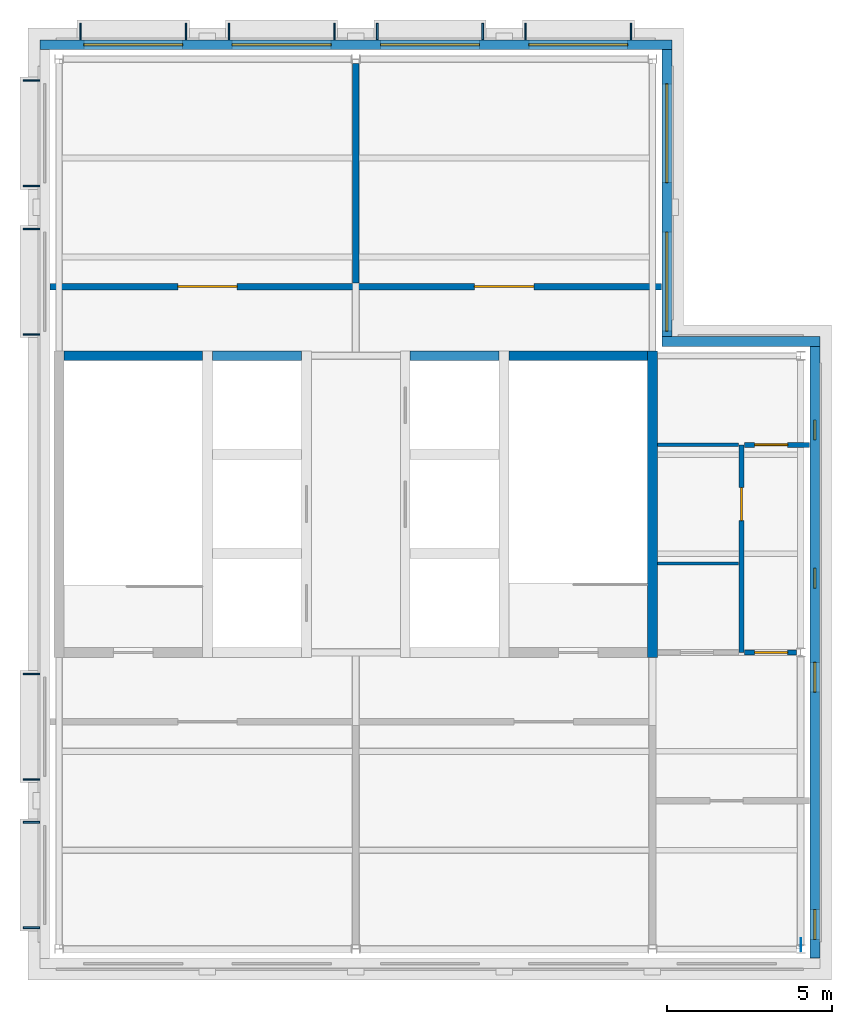
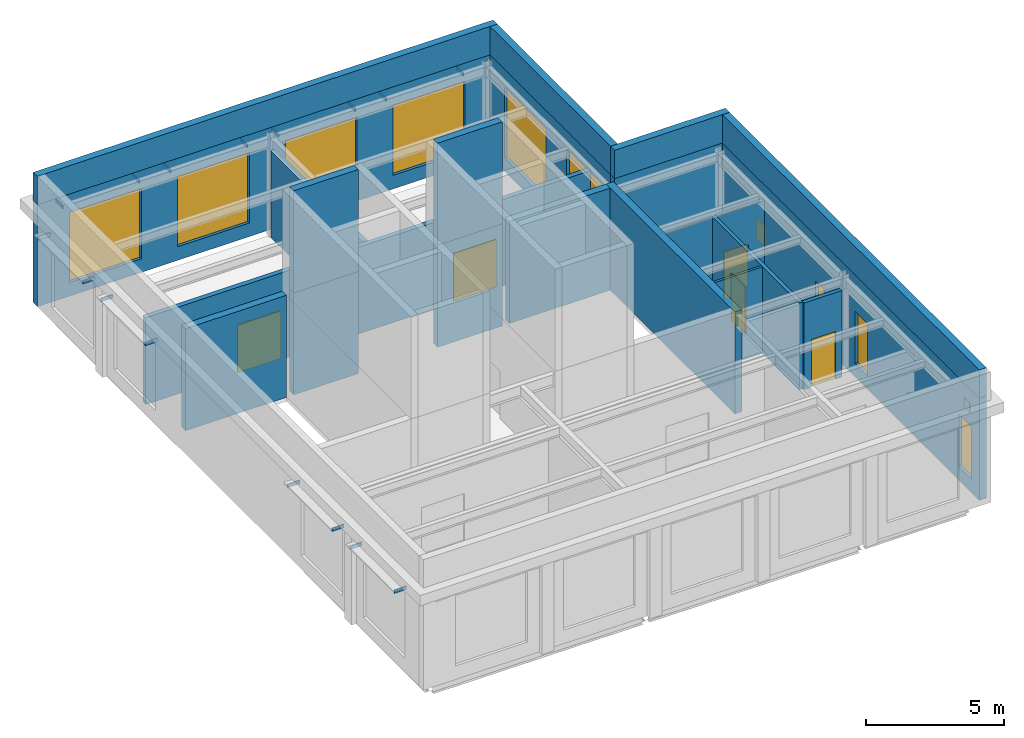
# One storey, part 3 of 4: 22 walls, 17 discrete accessories, 10 windows, 5 doors, 15 openings.
"""IFC4 building model written with IfcOpenShell, lengths in metres."""

from ifc_helpers import new_model, si_unit, direction, frame, frame_2d, origin, origin_2d, place, context, subcontext, project, spatial, rectangle, extrude, material, layer, layer_set, type_object, element, fill, save


model = new_model("IFC4")

# Units and contexts
model_context = context("Model", 3, precision=1e-05, world=origin(), true_north=direction((0.0, 1.0)))
body_context = subcontext(model_context, "Body", "Model", "MODEL_VIEW")
ifc_project = project(units=[si_unit("LENGTHUNIT", "METRE"), si_unit("AREAUNIT", "SQUARE_METRE"), si_unit("VOLUMEUNIT", "CUBIC_METRE"), si_unit("PLANEANGLEUNIT", "RADIAN"), si_unit("MASSUNIT", "GRAM", prefix="KILO")], contexts=[model_context])

# Site, building, storey
site_placement = place(None, origin())
site = spatial("IfcSite", under=ifc_project, at=site_placement, CompositionType="ELEMENT")
building_placement = place(site_placement, origin())
building = spatial("IfcBuilding", under=site, at=building_placement, Name="Hortulan Conservatory and Botanical Research Centre", CompositionType="ELEMENT")
storey_placement = place(building_placement, frame((0.0, 0.0, 69.89990234375)))
storey = spatial("IfcBuildingStorey", under=building, at=storey_placement, Name="L16", CompositionType="ELEMENT", Elevation=69.89990234375)

# Wall
ifc_material_1 = material(Name="Fire-rated plasterboard on steel studs", Category="steel")
ifc_layer_1 = layer(ifc_material_1, 0.199951171875)
ifc_layer_set_1 = layer_set([ifc_layer_1], Name="Compartment Partition 200")
wall_type_1 = type_object("IfcWallType", Name="Compartment Partition 200", PredefinedType="PARTITIONING", material=ifc_layer_set_1)
wall_1_placement = place(storey_placement, frame((18.0, 20.2099609375, 0.0), z_axis=(0.0, 0.0, 1.0), x_axis=(0.0, 1.0, 0.0)))
element("IfcWall", 1, at=wall_1_placement, inside=storey, type_object=wall_type_1, Name="Plant room wall", PredefinedType="PARTITIONING", context=body_context, shape_type="SweptSolid", body=[
    extrude(rectangle(XDim=6.650146484375, YDim=0.199951171875, at=frame_2d((3.3251953125, 0.0))), origin(), (0.0, 0.0, 1.0), 3.822021484375),
])

# Wall, openings, doors
wall_2_placement = place(storey_placement, frame((8.72412109375, 20.10009765625, 0.0), z_axis=(0.0, 0.0, 1.0), x_axis=(1.0, 0.0, 0.0)))
wall_2 = element("IfcWall", 2, at=wall_2_placement, inside=storey, type_object=wall_type_1, Name="Plant room wall", PredefinedType="PARTITIONING", context=body_context, shape_type="SweptSolid", body=[
    extrude(rectangle(XDim=18.5517578125, YDim=0.199951171875, at=frame_2d((9.27587890625, 0.0))), origin(), (0.0, 0.0, 1.0), 3.822021484375),
])
opening_1_placement = place(wall_2_placement, frame((3.8759765625, 0.0, 0.0)))
opening_1 = element("IfcOpeningElement", 3, at=opening_1_placement, cuts=wall_2, Name="Opening DT7", PredefinedType="OPENING", context=body_context, shape_type="SweptSolid", body=[
    extrude(rectangle(XDim=1.800048828125, YDim=2.10009765625, at=frame_2d((0.89990234375, 1.050048828125))), frame((0.0, 0.10986328125, 0.0), z_axis=(0.0, -1.0, 0.0), x_axis=(1.0, 0.0, 0.0)), (0.0, 0.0, 1.0), 0.219970703125),
])
opening_2_placement = place(wall_2_placement, frame((12.8759765625, 0.0, 0.0)))
opening_2 = element("IfcOpeningElement", 4, at=opening_2_placement, cuts=wall_2, Name="Opening DT7", PredefinedType="OPENING", context=body_context, shape_type="SweptSolid", body=[
    extrude(rectangle(XDim=1.800048828125, YDim=2.10009765625, at=frame_2d((0.89990234375, 1.050048828125))), frame((0.0, 0.10986328125, 0.0), z_axis=(0.0, -1.0, 0.0), x_axis=(1.0, 0.0, 0.0)), (0.0, 0.0, 1.0), 0.219970703125),
])
ifc_material_2 = material(Name="Steel door leaf, insulated", Category="steel")
door_type_1 = type_object("IfcDoorType", Name="Plant Room Double Door 1800x2100 FRL -/120/30", OperationType="DOUBLE_DOOR_SINGLE_SWING", PredefinedType="DOOR", material=ifc_material_2)
door_1_placement = place(opening_1_placement, origin())
door_1 = element("IfcDoor", 5, at=door_1_placement, inside=storey, type_object=door_type_1, Name="Door DT7 Chiller Plant Room", OperationType="DOUBLE_DOOR_SINGLE_SWING", OverallHeight=2.10009765625, OverallWidth=1.800048828125, PredefinedType="DOOR", context=body_context, shape_type="SweptSolid", body=[
    extrude(rectangle(XDim=1.800048828125, YDim=2.10009765625, at=frame_2d((0.89990234375, 1.050048828125))), frame((0.0, 0.02490234375, 0.0), z_axis=(0.0, -1.0, 0.0), x_axis=(1.0, 0.0, 0.0)), (0.0, 0.0, 1.0), 0.050048828125),
])
fill(opening_1, door_1)
door_2_placement = place(opening_2_placement, origin())
door_2 = element("IfcDoor", 6, at=door_2_placement, inside=storey, type_object=door_type_1, Name="Door DT7 Water Pump and Tank Room", OperationType="DOUBLE_DOOR_SINGLE_SWING", OverallHeight=2.10009765625, OverallWidth=1.800048828125, PredefinedType="DOOR", context=body_context, shape_type="SweptSolid", body=[
    extrude(rectangle(XDim=1.800048828125, YDim=2.10009765625, at=frame_2d((0.89990234375, 1.050048828125))), frame((0.0, 0.02490234375, 0.0), z_axis=(0.0, -1.0, 0.0), x_axis=(1.0, 0.0, 0.0)), (0.0, 0.0, 1.0), 0.050048828125),
])
fill(opening_2, door_2)

# Walls
ifc_material_3 = material(Name="Concrete N40 (40 MPa, AS 3600)", Category="concrete")
ifc_layer_2 = layer(ifc_material_3, 0.300048828125)
ifc_layer_set_2 = layer_set([ifc_layer_2], Name="Core Wall 300 N40 FRL 240/120/120")
wall_type_2 = type_object("IfcWallType", Name="Core Wall 300 N40 FRL 240/120/120", PredefinedType="SHEAR", material=ifc_layer_set_2)
wall_3_placement = place(storey_placement, frame((27.0, 8.85009765625, 0.0), z_axis=(0.0, 0.0, 1.0), x_axis=(0.0, 1.0, 0.0)))
element("IfcWall", 7, at=wall_3_placement, inside=storey, type_object=wall_type_2, Name="Reinforced concrete shaft wall", PredefinedType="SHEAR", context=body_context, shape_type="SweptSolid", body=[
    extrude(rectangle(XDim=9.2998046875, YDim=0.300048828125, at=frame_2d((4.64990234375, 0.0))), origin(), (0.0, 0.0, 1.0), 4.5),
])
wall_4_placement = place(storey_placement, frame((9.14990234375, 18.0, 0.0), z_axis=(0.0, 0.0, 1.0), x_axis=(1.0, 0.0, 0.0)))
element("IfcWall", 8, at=wall_4_placement, inside=storey, type_object=wall_type_2, Name="Reinforced concrete shaft wall", PredefinedType="SHEAR", context=body_context, shape_type="SweptSolid", body=[
    extrude(rectangle(XDim=4.2001953125, YDim=0.300048828125, at=frame_2d((2.10009765625, 0.0))), origin(), (0.0, 0.0, 1.0), 4.5),
])
for number, where, z_axis, x_axis, name in (
    (9, (13.64990234375, 18.0, 0.0), (0.0, 0.0, 1.0), (1.0, 0.0, 0.0), "Reinforced concrete shaft wall"),
    (10, (19.64990234375, 18.0, 0.0), (0.0, 0.0, 1.0), (1.0, 0.0, 0.0), "Reinforced concrete shaft wall"),
):
    element("IfcWall", number, at=place(storey_placement, frame(where, z_axis=z_axis, x_axis=x_axis)), inside=storey, type_object=wall_type_2, Name=name, PredefinedType="SHEAR", context=body_context, shape_type="SweptSolid", body=[
        extrude(rectangle(XDim=2.7001953125, YDim=0.300048828125, at=frame_2d((1.35009765625, 0.0))), origin(), (0.0, 0.0, 1.0), 4.5),
    ])
wall_5_placement = place(storey_placement, frame((22.64990234375, 18.0, 0.0), z_axis=(0.0, 0.0, 1.0), x_axis=(1.0, 0.0, 0.0)))
element("IfcWall", 11, at=wall_5_placement, inside=storey, type_object=wall_type_2, Name="Reinforced concrete shaft wall", PredefinedType="SHEAR", context=body_context, shape_type="SweptSolid", body=[
    extrude(rectangle(XDim=4.2001953125, YDim=0.300048828125, at=frame_2d((2.10009765625, 0.0))), origin(), (0.0, 0.0, 1.0), 4.5),
])

# Wall, opening, door
ifc_layer_3 = layer(ifc_material_1, 0.14990234375)
ifc_layer_set_3 = layer_set([ifc_layer_3], Name="Lobby Partition 150")
wall_type_3 = type_object("IfcWallType", Name="Lobby Partition 150", PredefinedType="PARTITIONING", material=ifc_layer_set_3)
wall_6_placement = place(storey_placement, frame((29.699951171875, 9.0, 0.0), z_axis=(0.0, 0.0, 1.0), x_axis=(0.0, 1.0, 0.0)))
wall_6 = element("IfcWall", 12, at=wall_6_placement, inside=storey, type_object=wall_type_3, Name="Lobby partition", PredefinedType="PARTITIONING", context=body_context, shape_type="SweptSolid", body=[
    extrude(rectangle(XDim=6.300048828125, YDim=0.14990234375, at=frame_2d((3.14990234375, 0.0))), origin(), (0.0, 0.0, 1.0), 3.822021484375),
])
opening_3_placement = place(wall_6_placement, frame((4.0, 0.0, 0.0)))
opening_3 = element("IfcOpeningElement", 13, at=opening_3_placement, cuts=wall_6, Name="Opening DT4", PredefinedType="OPENING", context=body_context, shape_type="SweptSolid", body=[
    extrude(rectangle(XDim=1.0, YDim=2.10009765625, at=frame_2d((0.5, 1.050048828125))), frame((0.0, 0.0849609375, 0.0), z_axis=(0.0, -1.0, 0.0), x_axis=(1.0, 0.0, 0.0)), (0.0, 0.0, 1.0), 0.169921875),
])
door_type_2 = type_object("IfcDoorType", Name="Fire Door 1000x2100 FRL -/60/30", OperationType="NOTDEFINED", PredefinedType="DOOR", material=ifc_material_2)
door_3_placement = place(opening_3_placement, origin())
door_3 = element("IfcDoor", 14, at=door_3_placement, inside=storey, type_object=door_type_2, Name="Door DT4 Women's WC", OperationType="SINGLE_SWING_LEFT", OverallHeight=2.10009765625, OverallWidth=1.0, PredefinedType="DOOR", context=body_context, shape_type="SweptSolid", body=[
    extrude(rectangle(XDim=1.0, YDim=2.10009765625, at=frame_2d((0.5, 1.050048828125))), frame((0.0, 0.02490234375, 0.0), z_axis=(0.0, -1.0, 0.0), x_axis=(1.0, 0.0, 0.0)), (0.0, 0.0, 1.0), 0.050048828125),
])
fill(opening_3, door_3)

wall_7_placement = place(storey_placement, frame((29.784912109375, 9.0, 0.0), z_axis=(0.0, 0.0, 1.0), x_axis=(1.0, 0.0, 0.0)))
wall_7 = element("IfcWall", 15, at=wall_7_placement, inside=storey, type_object=wall_type_3, Name="Lobby partition", PredefinedType="PARTITIONING", context=body_context, shape_type="SweptSolid", body=[
    extrude(rectangle(XDim=1.5771484375, YDim=0.14990234375, at=frame_2d((0.78857421875, 0.0))), origin(), (0.0, 0.0, 1.0), 3.822021484375),
])
opening_4_placement = place(wall_7_placement, frame((0.31494140625, 0.0, 0.0)))
opening_4 = element("IfcOpeningElement", 16, at=opening_4_placement, cuts=wall_7, Name="Opening DT4", PredefinedType="OPENING", context=body_context, shape_type="SweptSolid", body=[
    extrude(rectangle(XDim=1.0, YDim=2.10009765625, at=frame_2d((0.5, 1.050048828125))), frame((0.0, 0.0849609375, 0.0), z_axis=(0.0, -1.0, 0.0), x_axis=(1.0, 0.0, 0.0)), (0.0, 0.0, 1.0), 0.169921875),
])
door_4_placement = place(opening_4_placement, origin())
door_4 = element("IfcDoor", 17, at=door_4_placement, inside=storey, type_object=door_type_2, Name="Door DT4 WC Lobby", OperationType="SINGLE_SWING_LEFT", OverallHeight=2.10009765625, OverallWidth=1.0, PredefinedType="DOOR", context=body_context, shape_type="SweptSolid", body=[
    extrude(rectangle(XDim=1.0, YDim=2.10009765625, at=frame_2d((0.5, 1.050048828125))), frame((0.0, 0.02490234375, 0.0), z_axis=(0.0, -1.0, 0.0), x_axis=(1.0, 0.0, 0.0)), (0.0, 0.0, 1.0), 0.050048828125),
])
fill(opening_4, door_4)

wall_8_placement = place(storey_placement, frame((29.784912109375, 15.300048828125, 0.0), z_axis=(0.0, 0.0, 1.0), x_axis=(1.0, 0.0, 0.0)))
wall_8 = element("IfcWall", 18, at=wall_8_placement, inside=storey, type_object=wall_type_3, Name="Lobby partition", PredefinedType="PARTITIONING", context=body_context, shape_type="SweptSolid", body=[
    extrude(rectangle(XDim=1.97998046875, YDim=0.14990234375, at=frame_2d((0.989990234375, 0.0))), origin(), (0.0, 0.0, 1.0), 3.822021484375),
])
opening_5_placement = place(wall_8_placement, frame((0.31494140625, 0.0, 0.0)))
opening_5 = element("IfcOpeningElement", 19, at=opening_5_placement, cuts=wall_8, Name="Opening DT4", PredefinedType="OPENING", context=body_context, shape_type="SweptSolid", body=[
    extrude(rectangle(XDim=1.0, YDim=2.10009765625, at=frame_2d((0.5, 1.050048828125))), frame((0.0, 0.0849609375, 0.0), z_axis=(0.0, -1.0, 0.0), x_axis=(1.0, 0.0, 0.0)), (0.0, 0.0, 1.0), 0.169921875),
])
door_5_placement = place(opening_5_placement, origin())
door_5 = element("IfcDoor", 20, at=door_5_placement, inside=storey, type_object=door_type_2, Name="Door DT4 Men's WC", OperationType="SINGLE_SWING_RIGHT", OverallHeight=2.10009765625, OverallWidth=1.0, PredefinedType="DOOR", context=body_context, shape_type="SweptSolid", body=[
    extrude(rectangle(XDim=1.0, YDim=2.10009765625, at=frame_2d((0.5, 1.050048828125))), frame((0.0, 0.02490234375, 0.0), z_axis=(0.0, -1.0, 0.0), x_axis=(1.0, 0.0, 0.0)), (0.0, 0.0, 1.0), 0.050048828125),
])
fill(opening_5, door_5)

# Walls
ifc_layer_4 = layer(ifc_material_3, 0.300048828125)
ifc_layer_set_4 = layer_set([ifc_layer_4], Name="Shaft Head Wall 300")
wall_type_4 = type_object("IfcWallType", Name="Shaft Head Wall 300", PredefinedType="SOLIDWALL", material=ifc_layer_set_4)
for number, where, z_axis, x_axis, name in (
    (21, (13.64990234375, 18.0, 4.5), (0.0, 0.0, 1.0), (1.0, 0.0, 0.0), "Lift TW74400-1 head wall 6"),
    (22, (19.64990234375, 18.0, 4.5), (0.0, 0.0, 1.0), (1.0, 0.0, 0.0), "Lift TW74400-2 head wall 6"),
):
    element("IfcWall", number, at=place(storey_placement, frame(where, z_axis=z_axis, x_axis=x_axis)), inside=storey, type_object=wall_type_4, Name=name, PredefinedType="SOLIDWALL", context=body_context, shape_type="SweptSolid", body=[
        extrude(rectangle(XDim=2.7001953125, YDim=0.300048828125, at=frame_2d((1.35009765625, 0.0))), origin(), (0.0, 0.0, 1.0), 4.5),
    ])

# Wall, openings, windows
ifc_material_4 = material(Name="Verdigris copper-green zinc cladding on lightweight framing", Category="metal")
ifc_layer_5 = layer(ifc_material_4, 0.300048828125)
ifc_layer_set_5 = layer_set([ifc_layer_5], Name="Verdigris Zinc Clad Wall 300")
wall_type_5 = type_object("IfcWallType", Name="Verdigris Zinc Clad Wall 300", PredefinedType="STANDARD", material=ifc_layer_set_5)
wall_9_placement = place(storey_placement, frame((8.4140625, 27.43603515625, 0.0), z_axis=(0.0, 0.0, 1.0), x_axis=(1.0, 0.0, 0.0)))
wall_9 = element("IfcWall", 23, at=wall_9_placement, inside=storey, type_object=wall_type_5, Name="E-EW-TW-L16-N3", PredefinedType="STANDARD", context=body_context, shape_type="SweptSolid", body=[
    extrude(rectangle(XDim=19.171875, YDim=0.300048828125, at=frame_2d((9.5859375, 0.0))), origin(), (0.0, 0.0, 1.0), 4.5),
])
opening_6_placement = place(wall_9_placement, frame((1.3359375, 0.0, 0.60009765625)))
opening_6 = element("IfcOpeningElement", 24, at=opening_6_placement, cuts=wall_9, Name="Opening W8", PredefinedType="OPENING", context=body_context, shape_type="SweptSolid", body=[
    extrude(rectangle(XDim=3.0, YDim=3.10009765625, at=frame_2d((1.5, 1.550048828125))), frame((0.0, 0.159912109375, 0.0), z_axis=(0.0, -1.0, 0.0), x_axis=(1.0, 0.0, 0.0)), (0.0, 0.0, 1.0), 0.320068359375),
])
opening_7_placement = place(wall_9_placement, frame((5.8359375, 0.0, 0.60009765625)))
opening_7 = element("IfcOpeningElement", 25, at=opening_7_placement, cuts=wall_9, Name="Opening W8", PredefinedType="OPENING", context=body_context, shape_type="SweptSolid", body=[
    extrude(rectangle(XDim=3.0, YDim=3.10009765625, at=frame_2d((1.5, 1.550048828125))), frame((0.0, 0.159912109375, 0.0), z_axis=(0.0, -1.0, 0.0), x_axis=(1.0, 0.0, 0.0)), (0.0, 0.0, 1.0), 0.320068359375),
])
opening_8_placement = place(wall_9_placement, frame((10.3359375, 0.0, 0.60009765625)))
opening_8 = element("IfcOpeningElement", 26, at=opening_8_placement, cuts=wall_9, Name="Opening W8", PredefinedType="OPENING", context=body_context, shape_type="SweptSolid", body=[
    extrude(rectangle(XDim=3.0, YDim=3.10009765625, at=frame_2d((1.5, 1.550048828125))), frame((0.0, 0.159912109375, 0.0), z_axis=(0.0, -1.0, 0.0), x_axis=(1.0, 0.0, 0.0)), (0.0, 0.0, 1.0), 0.320068359375),
])
opening_9_placement = place(wall_9_placement, frame((14.8359375, 0.0, 0.60009765625)))
opening_9 = element("IfcOpeningElement", 27, at=opening_9_placement, cuts=wall_9, Name="Opening W8", PredefinedType="OPENING", context=body_context, shape_type="SweptSolid", body=[
    extrude(rectangle(XDim=3.0, YDim=3.10009765625, at=frame_2d((1.5, 1.550048828125))), frame((0.0, 0.159912109375, 0.0), z_axis=(0.0, -1.0, 0.0), x_axis=(1.0, 0.0, 0.0)), (0.0, 0.0, 1.0), 0.320068359375),
])
ifc_material_5 = material(Name="Bronze-finished aluminium frame with low-e laminated double glazing", Category="aluminium")
window_type_1 = type_object("IfcWindowType", Name="Attic Window 3000x3100", PartitioningType="SINGLE_PANEL", PredefinedType="WINDOW", material=ifc_material_5)
window_1_placement = place(opening_6_placement, origin())
window_1 = element("IfcWindow", 28, at=window_1_placement, inside=storey, type_object=window_type_1, Name="Attic window", OverallHeight=3.10009765625, OverallWidth=3.0, PartitioningType="SINGLE_PANEL", PredefinedType="WINDOW", context=body_context, shape_type="SweptSolid", body=[
    extrude(rectangle(XDim=3.0, YDim=3.10009765625, at=frame_2d((1.5, 1.550048828125))), frame((0.0, 0.030029296875, 0.0), z_axis=(0.0, -1.0, 0.0), x_axis=(1.0, 0.0, 0.0)), (0.0, 0.0, 1.0), 0.06005859375),
])
fill(opening_6, window_1)
window_2_placement = place(opening_7_placement, origin())
window_2 = element("IfcWindow", 29, at=window_2_placement, inside=storey, type_object=window_type_1, Name="Attic window", OverallHeight=3.10009765625, OverallWidth=3.0, PartitioningType="SINGLE_PANEL", PredefinedType="WINDOW", context=body_context, shape_type="SweptSolid", body=[
    extrude(rectangle(XDim=3.0, YDim=3.10009765625, at=frame_2d((1.5, 1.550048828125))), frame((0.0, 0.030029296875, 0.0), z_axis=(0.0, -1.0, 0.0), x_axis=(1.0, 0.0, 0.0)), (0.0, 0.0, 1.0), 0.06005859375),
])
fill(opening_7, window_2)
window_3_placement = place(opening_8_placement, origin())
window_3 = element("IfcWindow", 30, at=window_3_placement, inside=storey, type_object=window_type_1, Name="Attic window", OverallHeight=3.10009765625, OverallWidth=3.0, PartitioningType="SINGLE_PANEL", PredefinedType="WINDOW", context=body_context, shape_type="SweptSolid", body=[
    extrude(rectangle(XDim=3.0, YDim=3.10009765625, at=frame_2d((1.5, 1.550048828125))), frame((0.0, 0.030029296875, 0.0), z_axis=(0.0, -1.0, 0.0), x_axis=(1.0, 0.0, 0.0)), (0.0, 0.0, 1.0), 0.06005859375),
])
fill(opening_8, window_3)
window_4_placement = place(opening_9_placement, origin())
window_4 = element("IfcWindow", 31, at=window_4_placement, inside=storey, type_object=window_type_1, Name="Attic window", OverallHeight=3.10009765625, OverallWidth=3.0, PartitioningType="SINGLE_PANEL", PredefinedType="WINDOW", context=body_context, shape_type="SweptSolid", body=[
    extrude(rectangle(XDim=3.0, YDim=3.10009765625, at=frame_2d((1.5, 1.550048828125))), frame((0.0, 0.030029296875, 0.0), z_axis=(0.0, -1.0, 0.0), x_axis=(1.0, 0.0, 0.0)), (0.0, 0.0, 1.0), 0.06005859375),
])
fill(opening_9, window_4)

wall_10_placement = place(storey_placement, frame((27.43603515625, 27.285888671875, 0.0), z_axis=(0.0, 0.0, 1.0), x_axis=(0.0, -1.0, 0.0)))
wall_10 = element("IfcWall", 32, at=wall_10_placement, inside=storey, type_object=wall_type_5, Name="E-EW-TW-L16-E4", PredefinedType="STANDARD", context=body_context, shape_type="SweptSolid", body=[
    extrude(rectangle(XDim=8.699951171875, YDim=0.300048828125, at=frame_2d((4.35009765625, 0.0))), origin(), (0.0, 0.0, 1.0), 4.5),
])
opening_10_placement = place(wall_10_placement, frame((5.535888671875, 0.0, 0.60009765625)))
opening_10 = element("IfcOpeningElement", 33, at=opening_10_placement, cuts=wall_10, Name="Opening W8", PredefinedType="OPENING", context=body_context, shape_type="SweptSolid", body=[
    extrude(rectangle(XDim=3.0, YDim=3.10009765625, at=frame_2d((1.5, 1.550048828125))), frame((0.0, 0.159912109375, 0.0), z_axis=(0.0, -1.0, 0.0), x_axis=(1.0, 0.0, 0.0)), (0.0, 0.0, 1.0), 0.320068359375),
])
opening_11_placement = place(wall_10_placement, frame((1.035888671875, 0.0, 0.60009765625)))
opening_11 = element("IfcOpeningElement", 34, at=opening_11_placement, cuts=wall_10, Name="Opening W8", PredefinedType="OPENING", context=body_context, shape_type="SweptSolid", body=[
    extrude(rectangle(XDim=3.0, YDim=3.10009765625, at=frame_2d((1.5, 1.550048828125))), frame((0.0, 0.159912109375, 0.0), z_axis=(0.0, -1.0, 0.0), x_axis=(1.0, 0.0, 0.0)), (0.0, 0.0, 1.0), 0.320068359375),
])
window_5_placement = place(opening_10_placement, origin())
window_5 = element("IfcWindow", 35, at=window_5_placement, inside=storey, type_object=window_type_1, Name="Attic window", OverallHeight=3.10009765625, OverallWidth=3.0, PartitioningType="SINGLE_PANEL", PredefinedType="WINDOW", context=body_context, shape_type="SweptSolid", body=[
    extrude(rectangle(XDim=3.0, YDim=3.10009765625, at=frame_2d((1.5, 1.550048828125))), frame((0.0, 0.030029296875, 0.0), z_axis=(0.0, -1.0, 0.0), x_axis=(1.0, 0.0, 0.0)), (0.0, 0.0, 1.0), 0.06005859375),
])
fill(opening_10, window_5)
window_6_placement = place(opening_11_placement, origin())
window_6 = element("IfcWindow", 36, at=window_6_placement, inside=storey, type_object=window_type_1, Name="Attic window", OverallHeight=3.10009765625, OverallWidth=3.0, PartitioningType="SINGLE_PANEL", PredefinedType="WINDOW", context=body_context, shape_type="SweptSolid", body=[
    extrude(rectangle(XDim=3.0, YDim=3.10009765625, at=frame_2d((1.5, 1.550048828125))), frame((0.0, 0.030029296875, 0.0), z_axis=(0.0, -1.0, 0.0), x_axis=(1.0, 0.0, 0.0)), (0.0, 0.0, 1.0), 0.06005859375),
])
fill(opening_11, window_6)

# Wall
wall_11_placement = place(storey_placement, frame((27.285888671875, 18.43603515625, 0.0), z_axis=(0.0, 0.0, 1.0), x_axis=(1.0, 0.0, 0.0)))
element("IfcWall", 37, at=wall_11_placement, inside=storey, type_object=wall_type_5, Name="E-EW-TW-L16-N5", PredefinedType="STANDARD", context=body_context, shape_type="SweptSolid", body=[
    extrude(rectangle(XDim=4.7890625, YDim=0.300048828125, at=frame_2d((2.39453125, 0.0))), origin(), (0.0, 0.0, 1.0), 4.5),
])

# Wall, openings, windows
wall_12_placement = place(storey_placement, frame((31.925048828125, 18.27490234375, 0.0), z_axis=(0.0, 0.0, 1.0), x_axis=(0.0, -1.0, 0.0)))
wall_12 = element("IfcWall", 38, at=wall_12_placement, inside=storey, type_object=wall_type_5, Name="E-EW-TW-L16-E6", PredefinedType="STANDARD", context=body_context, shape_type="SweptSolid", body=[
    extrude(rectangle(XDim=18.5498046875, YDim=0.300048828125, at=frame_2d((9.27490234375, 0.0))), origin(), (0.0, 0.0, 1.0), 4.5),
])
opening_12_placement = place(wall_12_placement, frame((17.074951171875, 0.0, 0.60009765625)))
opening_12 = element("IfcOpeningElement", 39, at=opening_12_placement, cuts=wall_12, Name="Opening W7", PredefinedType="OPENING", context=body_context, shape_type="SweptSolid", body=[
    extrude(rectangle(XDim=0.89990234375, YDim=2.300048828125, at=frame_2d((0.449951171875, 1.14990234375))), frame((0.0, 0.159912109375, 0.0), z_axis=(0.0, -1.0, 0.0), x_axis=(1.0, 0.0, 0.0)), (0.0, 0.0, 1.0), 0.320068359375),
])
opening_13_placement = place(wall_12_placement, frame((9.574951171875, 0.0, 0.60009765625)))
opening_13 = element("IfcOpeningElement", 40, at=opening_13_placement, cuts=wall_12, Name="Opening W7", PredefinedType="OPENING", context=body_context, shape_type="SweptSolid", body=[
    extrude(rectangle(XDim=0.89990234375, YDim=2.300048828125, at=frame_2d((0.449951171875, 1.14990234375))), frame((0.0, 0.159912109375, 0.0), z_axis=(0.0, -1.0, 0.0), x_axis=(1.0, 0.0, 0.0)), (0.0, 0.0, 1.0), 0.320068359375),
])
opening_14_placement = place(wall_12_placement, frame((6.72509765625, 0.0, 1.60009765625)))
opening_14 = element("IfcOpeningElement", 41, at=opening_14_placement, cuts=wall_12, Name="Opening W3", PredefinedType="OPENING", context=body_context, shape_type="SweptSolid", body=[
    extrude(rectangle(XDim=0.60009765625, YDim=0.89990234375, at=frame_2d((0.300048828125, 0.449951171875))), frame((0.0, 0.159912109375, 0.0), z_axis=(0.0, -1.0, 0.0), x_axis=(1.0, 0.0, 0.0)), (0.0, 0.0, 1.0), 0.320068359375),
])
opening_15_placement = place(wall_12_placement, frame((2.22509765625, 0.0, 1.60009765625)))
opening_15 = element("IfcOpeningElement", 42, at=opening_15_placement, cuts=wall_12, Name="Opening W3", PredefinedType="OPENING", context=body_context, shape_type="SweptSolid", body=[
    extrude(rectangle(XDim=0.60009765625, YDim=0.89990234375, at=frame_2d((0.300048828125, 0.449951171875))), frame((0.0, 0.159912109375, 0.0), z_axis=(0.0, -1.0, 0.0), x_axis=(1.0, 0.0, 0.0)), (0.0, 0.0, 1.0), 0.320068359375),
])
window_type_2 = type_object("IfcWindowType", Name="Attic Pier Window 900x2300", PartitioningType="SINGLE_PANEL", PredefinedType="WINDOW", material=ifc_material_5)
window_7_placement = place(opening_12_placement, origin())
window_7 = element("IfcWindow", 43, at=window_7_placement, inside=storey, type_object=window_type_2, Name="Attic Pier window", OverallHeight=2.300048828125, OverallWidth=0.89990234375, PartitioningType="SINGLE_PANEL", PredefinedType="WINDOW", context=body_context, shape_type="SweptSolid", body=[
    extrude(rectangle(XDim=0.89990234375, YDim=2.300048828125, at=frame_2d((0.449951171875, 1.14990234375))), frame((0.0, 0.030029296875, 0.0), z_axis=(0.0, -1.0, 0.0), x_axis=(1.0, 0.0, 0.0)), (0.0, 0.0, 1.0), 0.06005859375),
])
fill(opening_12, window_7)
window_8_placement = place(opening_13_placement, origin())
window_8 = element("IfcWindow", 44, at=window_8_placement, inside=storey, type_object=window_type_2, Name="Attic Pier window", OverallHeight=2.300048828125, OverallWidth=0.89990234375, PartitioningType="SINGLE_PANEL", PredefinedType="WINDOW", context=body_context, shape_type="SweptSolid", body=[
    extrude(rectangle(XDim=0.89990234375, YDim=2.300048828125, at=frame_2d((0.449951171875, 1.14990234375))), frame((0.0, 0.030029296875, 0.0), z_axis=(0.0, -1.0, 0.0), x_axis=(1.0, 0.0, 0.0)), (0.0, 0.0, 1.0), 0.06005859375),
])
fill(opening_13, window_8)
window_type_3 = type_object("IfcWindowType", Name="Slot Window 600x900", PartitioningType="SINGLE_PANEL", PredefinedType="WINDOW", material=ifc_material_5)
window_9_placement = place(opening_14_placement, origin())
window_9 = element("IfcWindow", 45, at=window_9_placement, inside=storey, type_object=window_type_3, Name="Slot window", OverallHeight=0.89990234375, OverallWidth=0.60009765625, PartitioningType="SINGLE_PANEL", PredefinedType="WINDOW", context=body_context, shape_type="SweptSolid", body=[
    extrude(rectangle(XDim=0.60009765625, YDim=0.89990234375, at=frame_2d((0.300048828125, 0.449951171875))), frame((0.0, 0.030029296875, 0.0), z_axis=(0.0, -1.0, 0.0), x_axis=(1.0, 0.0, 0.0)), (0.0, 0.0, 1.0), 0.06005859375),
])
fill(opening_14, window_9)
window_10_placement = place(opening_15_placement, origin())
window_10 = element("IfcWindow", 46, at=window_10_placement, inside=storey, type_object=window_type_3, Name="Slot window", OverallHeight=0.89990234375, OverallWidth=0.60009765625, PartitioningType="SINGLE_PANEL", PredefinedType="WINDOW", context=body_context, shape_type="SweptSolid", body=[
    extrude(rectangle(XDim=0.60009765625, YDim=0.89990234375, at=frame_2d((0.300048828125, 0.449951171875))), frame((0.0, 0.030029296875, 0.0), z_axis=(0.0, -1.0, 0.0), x_axis=(1.0, 0.0, 0.0)), (0.0, 0.0, 1.0), 0.06005859375),
])
fill(opening_15, window_10)

# Walls
ifc_layer_6 = layer(ifc_material_4, 0.300048828125)
ifc_layer_set_6 = layer_set([ifc_layer_6], Name="Verdigris Zinc Clad Wall 300 Parapet 300")
wall_type_6 = type_object("IfcWallType", Name="Verdigris Zinc Clad Wall 300 Parapet 300", PredefinedType="PARAPET", material=ifc_layer_set_6)
wall_13_placement = place(storey_placement, frame((8.4140625, 27.43603515625, 4.5), z_axis=(0.0, 0.0, 1.0), x_axis=(1.0, 0.0, 0.0)))
element("IfcWall", 47, at=wall_13_placement, inside=storey, type_object=wall_type_6, Name="Parapet", PredefinedType="PARAPET", context=body_context, shape_type="SweptSolid", body=[
    extrude(rectangle(XDim=19.171875, YDim=0.300048828125, at=frame_2d((9.5859375, 0.0))), origin(), (0.0, 0.0, 1.0), 1.25),
])
wall_14_placement = place(storey_placement, frame((27.43603515625, 27.285888671875, 4.5), z_axis=(0.0, 0.0, 1.0), x_axis=(0.0, -1.0, 0.0)))
element("IfcWall", 48, at=wall_14_placement, inside=storey, type_object=wall_type_6, Name="Parapet", PredefinedType="PARAPET", context=body_context, shape_type="SweptSolid", body=[
    extrude(rectangle(XDim=8.699951171875, YDim=0.300048828125, at=frame_2d((4.35009765625, 0.0))), origin(), (0.0, 0.0, 1.0), 1.25),
])
wall_15_placement = place(storey_placement, frame((27.285888671875, 18.43603515625, 4.5), z_axis=(0.0, 0.0, 1.0), x_axis=(1.0, 0.0, 0.0)))
element("IfcWall", 49, at=wall_15_placement, inside=storey, type_object=wall_type_6, Name="Parapet", PredefinedType="PARAPET", context=body_context, shape_type="SweptSolid", body=[
    extrude(rectangle(XDim=4.7890625, YDim=0.300048828125, at=frame_2d((2.39453125, 0.0))), origin(), (0.0, 0.0, 1.0), 1.25),
])
wall_16_placement = place(storey_placement, frame((31.925048828125, 18.27490234375, 4.5), z_axis=(0.0, 0.0, 1.0), x_axis=(0.0, -1.0, 0.0)))
element("IfcWall", 50, at=wall_16_placement, inside=storey, type_object=wall_type_6, Name="Parapet", PredefinedType="PARAPET", context=body_context, shape_type="SweptSolid", body=[
    extrude(rectangle(XDim=18.5498046875, YDim=0.300048828125, at=frame_2d((9.27490234375, 0.0))), origin(), (0.0, 0.0, 1.0), 1.25),
])
ifc_material_6 = material(Name="Moisture-resistant plasterboard on steel studs", Category="steel")
ifc_layer_7 = layer(ifc_material_6, 0.10009765625)
ifc_layer_set_7 = layer_set([ifc_layer_7], Name="Wet Area Partition 100")
wall_type_7 = type_object("IfcWallType", Name="Wet Area Partition 100", PredefinedType="PARTITIONING", material=ifc_layer_set_7)
for number, where, z_axis, x_axis, name in (
    (51, (27.159912109375, 11.699951171875, 0.0), (0.0, 0.0, 1.0), (1.0, 0.0, 0.0), "Toilet partition"),
    (52, (27.159912109375, 15.300048828125, 0.0), (0.0, 0.0, 1.0), (1.0, 0.0, 0.0), "Toilet partition"),
):
    element("IfcWall", number, at=place(storey_placement, frame(where, z_axis=z_axis, x_axis=x_axis)), inside=storey, type_object=wall_type_7, Name=name, PredefinedType="PARTITIONING", context=body_context, shape_type="SweptSolid", body=[
        extrude(rectangle(XDim=2.455078125, YDim=0.10009765625, at=frame_2d((1.2275390625, 0.0))), origin(), (0.0, 0.0, 1.0), 3.822021484375),
    ])

# Discrete accessories
ifc_material_7 = material(Name="Bronze-charcoal painted wrought iron", Category="metal")
ifc_layer_8 = layer(ifc_material_7, 0.050048828125)
ifc_layer_set_8 = layer_set([ifc_layer_8], Name="Blade Bracket 50x500x150")
discrete_accessory_type_1 = type_object("IfcDiscreteAccessoryType", Name="Blade Bracket 50x500x150", PredefinedType="BRACKET", material=ifc_layer_set_8)
for number, where, z_axis, x_axis, name in (
    (53, (8.1640625, 0.64990234375, 3.7001953125), (0.0, 0.0, 1.0), (0.0, 1.0, 0.0), "Blade bracket"),
    (54, (8.1640625, 3.85009765625, 3.7001953125), (0.0, 0.0, 1.0), (0.0, 1.0, 0.0), "Blade bracket"),
    (55, (8.1640625, 5.14990234375, 3.7001953125), (0.0, 0.0, 1.0), (0.0, 1.0, 0.0), "Blade bracket"),
    (56, (8.1640625, 8.35009765625, 3.7001953125), (0.0, 0.0, 1.0), (0.0, 1.0, 0.0), "Blade bracket"),
    (57, (8.1640625, 18.64990234375, 3.7001953125), (0.0, 0.0, 1.0), (0.0, 1.0, 0.0), "Blade bracket"),
    (58, (8.1640625, 21.85009765625, 3.7001953125), (0.0, 0.0, 1.0), (0.0, 1.0, 0.0), "Blade bracket"),
    (59, (8.1640625, 23.14990234375, 3.7001953125), (0.0, 0.0, 1.0), (0.0, 1.0, 0.0), "Blade bracket"),
    (60, (8.1640625, 26.35009765625, 3.7001953125), (0.0, 0.0, 1.0), (0.0, 1.0, 0.0), "Blade bracket"),
    (61, (9.64990234375, 27.8359375, 3.7001953125), (0.0, 0.0, 1.0), (1.0, 0.0, 0.0), "Blade bracket"),
    (62, (12.85009765625, 27.8359375, 3.7001953125), (0.0, 0.0, 1.0), (1.0, 0.0, 0.0), "Blade bracket"),
    (63, (14.14990234375, 27.8359375, 3.7001953125), (0.0, 0.0, 1.0), (1.0, 0.0, 0.0), "Blade bracket"),
    (64, (17.35009765625, 27.8359375, 3.7001953125), (0.0, 0.0, 1.0), (1.0, 0.0, 0.0), "Blade bracket"),
    (65, (18.64990234375, 27.8359375, 3.7001953125), (0.0, 0.0, 1.0), (1.0, 0.0, 0.0), "Blade bracket"),
    (66, (21.85009765625, 27.8359375, 3.7001953125), (0.0, 0.0, 1.0), (1.0, 0.0, 0.0), "Blade bracket"),
    (67, (23.14990234375, 27.8359375, 3.7001953125), (0.0, 0.0, 1.0), (1.0, 0.0, 0.0), "Blade bracket"),
    (68, (26.35009765625, 27.8359375, 3.7001953125), (0.0, 0.0, 1.0), (1.0, 0.0, 0.0), "Blade bracket"),
):
    element("IfcDiscreteAccessory", number, at=place(storey_placement, frame(where, z_axis=z_axis, x_axis=x_axis)), inside=storey, type_object=discrete_accessory_type_1, Name=name, PredefinedType="BRACKET", context=body_context, shape_type="SweptSolid", body=[
        extrude(rectangle(XDim=0.050048828125, YDim=0.5, at=origin_2d()), origin(), (0.0, 0.0, 1.0), 0.14990234375),
    ])
ifc_material_8 = material(Name="Steel Grade 300 plate (AS/NZS 3678, 280 MPa minimum yield)", Category="steel")
discrete_accessory_type_2 = type_object("IfcDiscreteAccessoryType", Name="End Plate 400x16", PredefinedType="BRACKET", material=ifc_material_8)
discrete_accessory_placement = place(storey_placement, frame((31.5, 0.1298828125, 3.85595703125), z_axis=(0.0, 0.0, 1.0), x_axis=(0.0, -1.0, 0.0)))
element("IfcDiscreteAccessory", 69, at=discrete_accessory_placement, inside=storey, type_object=discrete_accessory_type_2, Name="Brace end plate", PredefinedType="BRACKET", context=body_context, shape_type="SweptSolid", body=[
    extrude(rectangle(XDim=0.39990234375, YDim=0.01611328125, at=origin_2d()), origin(), (0.0, 0.0, 1.0), 0.39990234375),
])

save(model, "model.ifc")
